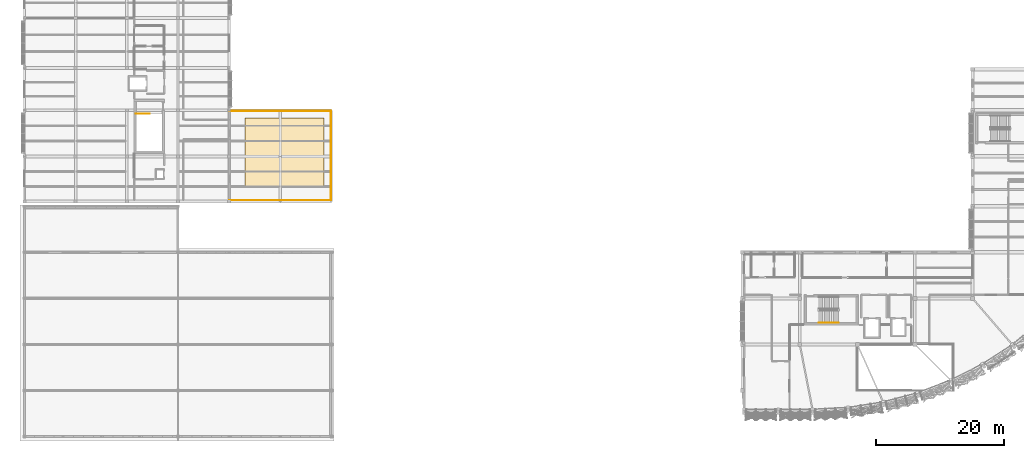
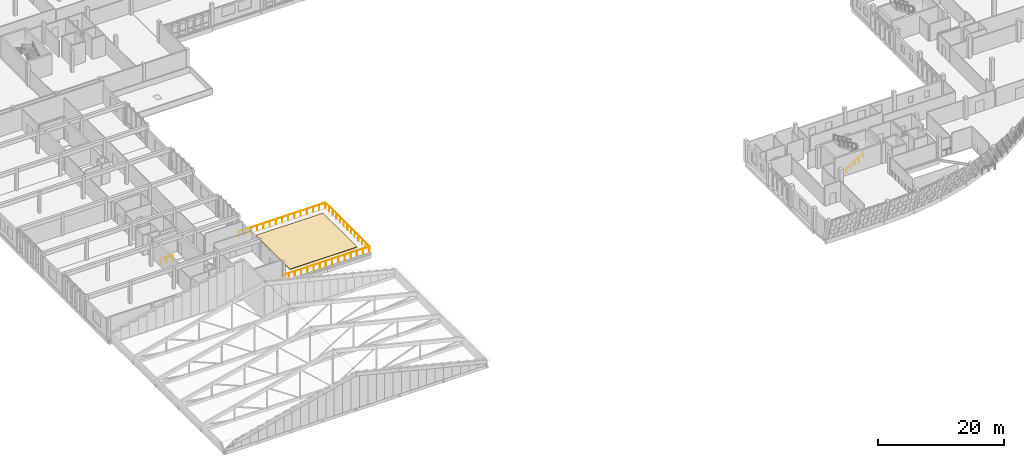
# One storey, part 102 of 107: 5 railings, 1 covering.
"""IFC4 building model written with IfcOpenShell, lengths in metres."""

from ifc_helpers import new_model, si_unit, direction, frame, origin, origin_2d, place, context, subcontext, project, spatial, polyline, circle, outline, extrude, material, layer, layer_set, type_object, element, save


model = new_model("IFC4")

# Units and contexts
model_context = context("Model", 3, precision=1e-05, world=origin(), true_north=direction((0.0, 1.0)))
body_context = subcontext(model_context, "Body", "Model", "MODEL_VIEW")
ifc_project = project(units=[si_unit("LENGTHUNIT", "METRE"), si_unit("AREAUNIT", "SQUARE_METRE"), si_unit("VOLUMEUNIT", "CUBIC_METRE"), si_unit("PLANEANGLEUNIT", "RADIAN"), si_unit("MASSUNIT", "GRAM", prefix="KILO")], contexts=[model_context])

# Site, building, storey
site_placement = place(None, origin())
site = spatial("IfcSite", under=ifc_project, at=site_placement, CompositionType="ELEMENT")
building_placement = place(site_placement, origin())
building = spatial("IfcBuilding", under=site, at=building_placement, Name="Chiffa Square Polytechnic", CompositionType="ELEMENT")
storey_placement = place(building_placement, frame((0.0, 0.0, 13.800048828125)))
storey = spatial("IfcBuildingStorey", under=building, at=storey_placement, Name="L03", CompositionType="ELEMENT", Elevation=13.800048828125)

# Covering
ifc_material_1 = material(Name="Vegetated substrate")
ifc_layer_1 = layer(ifc_material_1, 0.1201171875, Name="Vegetated substrate")
ifc_layer_set_1 = layer_set([ifc_layer_1], Name="Vegetated substrate")
covering_type = type_object("IfcCoveringType", Name="COV-GARDEN-300", PredefinedType="ROOFING", material=ifc_layer_set_1)
covering_placement = place(storey_placement, origin())
element("IfcCovering", 1, at=covering_placement, inside=storey, type_object=covering_type, Name="Planted Mediterranean roof garden GD-V6-L03", PredefinedType="ROOFING", context=body_context, shape_type="SweptSolid", body=[
    extrude(outline(polyline([(34.5, 39.0), (46.800048828125, 39.0), (46.800048828125, 49.800048828125), (34.5, 49.800048828125), (34.5, 39.0)])), origin(), (0.0, 0.0, 1.0), 0.119873046875),
])

# Railings
ifc_material_2 = material(Name="Steel S355", Category="steel")
ifc_layer_2 = layer(ifc_material_2, 0.050048828125, Name="Steel S355")
ifc_layer_set_2 = layer_set([ifc_layer_2], Name="Steel S355")
railing_type_1 = type_object("IfcRailingType", Name="RL-STAIR-GUARD", PredefinedType="GUARDRAIL", material=ifc_layer_set_2)
railing_1_placement = place(storey_placement, frame((17.449951171875, 50.449951171875, 0.0)))
element("IfcRailing", 2, at=railing_1_placement, inside=storey, type_object=railing_type_1, Name="L03 ST-V6A top well guard 1", PredefinedType="GUARDRAIL", context=body_context, shape_type="SweptSolid", body=[
    extrude(circle(Radius=0.02392578125, at=origin_2d()), frame((0.0, 0.0, 1.076171875), z_axis=(1.0, 0.0, 0.0), x_axis=(0.0, 1.0, 0.0)), (0.0, 0.0, 1.0), 2.150146484375),
    extrude(circle(Radius=0.02099609375, at=origin_2d()), origin(), (0.0, 0.0, 1.0), 1.052001953125),
    extrude(circle(Radius=0.02099609375, at=origin_2d()), frame((1.0751953125, 0.0, 0.0)), (0.0, 0.0, 1.0), 1.052001953125),
    extrude(circle(Radius=0.02099609375, at=origin_2d()), frame((2.150146484375, 0.0, 0.0)), (0.0, 0.0, 1.0), 1.052001953125),
])
ifc_layer_3 = layer(ifc_material_2, 0.044921875, Name="Steel S355")
ifc_layer_set_3 = layer_set([ifc_layer_3], Name="Steel S355")
railing_type_2 = type_object("IfcRailingType", Name="RL-STAIR-HAND", PredefinedType="HANDRAIL", material=ifc_layer_set_3)
railing_2_placement = place(storey_placement, frame((124.199951171875, 17.800048828125, 0.175048828125)))
element("IfcRailing", 3, at=railing_2_placement, inside=storey, type_object=railing_type_2, Name="L03 ST-V1A stair handrail 1", PredefinedType="HANDRAIL", context=body_context, shape_type="SweptSolid", body=[
    extrude(circle(Radius=0.02392578125, at=origin_2d()), frame((0.0, 0.0, 0.89599609375), z_axis=(0.848028513186, 0.0, 0.529950602248), x_axis=(0.0, 1.0, 0.0)), (0.0, 0.0, 1.0), 3.632080078125),
    extrude(circle(Radius=0.02099609375, at=origin_2d()), origin(), (0.0, 0.0, 1.0), 0.871826171875),
    extrude(circle(Radius=0.02099609375, at=origin_2d()), frame((0.77001953125, 0.0, 0.481201171875)), (0.0, 0.0, 1.0), 0.871826171875),
    extrude(circle(Radius=0.02099609375, at=origin_2d()), frame((1.5400390625, 0.0, 0.96240234375)), (0.0, 0.0, 1.0), 0.871826171875),
    extrude(circle(Radius=0.02099609375, at=origin_2d()), frame((2.31005859375, 0.0, 1.443603515625)), (0.0, 0.0, 1.0), 0.871826171875),
    extrude(circle(Radius=0.02099609375, at=origin_2d()), frame((3.080078125, 0.0, 1.9248046875)), (0.0, 0.0, 1.0), 0.871826171875),
])
ifc_layer_4 = layer(ifc_material_2, 0.06005859375, Name="Steel S355")
ifc_layer_set_4 = layer_set([ifc_layer_4], Name="Steel S355")
railing_type_3 = type_object("IfcRailingType", Name="RL-TERR-1100", PredefinedType="BALUSTRADE", material=ifc_layer_set_4)
railing_3_placement = place(storey_placement, frame((32.0, 36.949951171875, 0.0)))
element("IfcRailing", 4, at=railing_3_placement, inside=storey, type_object=railing_type_3, Name="Terrace safety guard GR-TERR-V6-L03-1", PredefinedType="BALUSTRADE", context=body_context, shape_type="SweptSolid", body=[
    extrude(circle(Radius=0.02392578125, at=origin_2d()), frame((0.0, 0.0, 1.076171875), z_axis=(1.0, 0.0, 0.0), x_axis=(0.0, 1.0, 0.0)), (0.0, 0.0, 1.0), 15.89990234375),
    extrude(circle(Radius=0.02099609375, at=origin_2d()), origin(), (0.0, 0.0, 1.0), 1.052001953125),
    extrude(circle(Radius=0.02099609375, at=origin_2d()), frame((1.1357421875, 0.0, 0.0)), (0.0, 0.0, 1.0), 1.052001953125),
    extrude(circle(Radius=0.02099609375, at=origin_2d()), frame((2.271484375, 0.0, 0.0)), (0.0, 0.0, 1.0), 1.052001953125),
    extrude(circle(Radius=0.02099609375, at=origin_2d()), frame((3.4072265625, 0.0, 0.0)), (0.0, 0.0, 1.0), 1.052001953125),
    extrude(circle(Radius=0.02099609375, at=origin_2d()), frame((4.542724609375, 0.0, 0.0)), (0.0, 0.0, 1.0), 1.052001953125),
    extrude(circle(Radius=0.02099609375, at=origin_2d()), frame((5.678466796875, 0.0, 0.0)), (0.0, 0.0, 1.0), 1.052001953125),
    extrude(circle(Radius=0.02099609375, at=origin_2d()), frame((6.814208984375, 0.0, 0.0)), (0.0, 0.0, 1.0), 1.052001953125),
    extrude(circle(Radius=0.02099609375, at=origin_2d()), frame((7.949951171875, 0.0, 0.0)), (0.0, 0.0, 1.0), 1.052001953125),
    extrude(circle(Radius=0.02099609375, at=origin_2d()), frame((9.085693359375, 0.0, 0.0)), (0.0, 0.0, 1.0), 1.052001953125),
    extrude(circle(Radius=0.02099609375, at=origin_2d()), frame((10.221435546875, 0.0, 0.0)), (0.0, 0.0, 1.0), 1.052001953125),
    extrude(circle(Radius=0.02099609375, at=origin_2d()), frame((11.357177734375, 0.0, 0.0)), (0.0, 0.0, 1.0), 1.052001953125),
    extrude(circle(Radius=0.02099609375, at=origin_2d()), frame((12.49267578125, 0.0, 0.0)), (0.0, 0.0, 1.0), 1.052001953125),
    extrude(circle(Radius=0.02099609375, at=origin_2d()), frame((13.62841796875, 0.0, 0.0)), (0.0, 0.0, 1.0), 1.052001953125),
    extrude(circle(Radius=0.02099609375, at=origin_2d()), frame((14.76416015625, 0.0, 0.0)), (0.0, 0.0, 1.0), 1.052001953125),
    extrude(circle(Radius=0.02099609375, at=origin_2d()), frame((15.89990234375, 0.0, 0.0)), (0.0, 0.0, 1.0), 1.052001953125),
])
railing_4_placement = place(storey_placement, frame((47.89990234375, 36.949951171875, 0.0)))
element("IfcRailing", 5, at=railing_4_placement, inside=storey, type_object=railing_type_3, Name="Terrace safety guard GR-TERR-V6-L03-2", PredefinedType="BALUSTRADE", context=body_context, shape_type="SweptSolid", body=[
    extrude(circle(Radius=0.02392578125, at=origin_2d()), frame((0.0, 0.0, 1.076171875), z_axis=(0.0, 1.0, 0.0), x_axis=(-1.0, 0.0, 0.0)), (0.0, 0.0, 1.0), 13.949951171875),
    extrude(circle(Radius=0.02099609375, at=origin_2d()), origin(), (0.0, 0.0, 1.0), 1.052001953125),
    extrude(circle(Radius=0.02099609375, at=origin_2d()), frame((0.0, 1.16259765625, 0.0)), (0.0, 0.0, 1.0), 1.052001953125),
    extrude(circle(Radius=0.02099609375, at=origin_2d()), frame((0.0, 2.324951171875, 0.0)), (0.0, 0.0, 1.0), 1.052001953125),
    extrude(circle(Radius=0.02099609375, at=origin_2d()), frame((0.0, 3.487548828125, 0.0)), (0.0, 0.0, 1.0), 1.052001953125),
    extrude(circle(Radius=0.02099609375, at=origin_2d()), frame((0.0, 4.64990234375, 0.0)), (0.0, 0.0, 1.0), 1.052001953125),
    extrude(circle(Radius=0.02099609375, at=origin_2d()), frame((0.0, 5.8125, 0.0)), (0.0, 0.0, 1.0), 1.052001953125),
    extrude(circle(Radius=0.02099609375, at=origin_2d()), frame((0.0, 6.97509765625, 0.0)), (0.0, 0.0, 1.0), 1.052001953125),
    extrude(circle(Radius=0.02099609375, at=origin_2d()), frame((0.0, 8.137451171875, 0.0)), (0.0, 0.0, 1.0), 1.052001953125),
    extrude(circle(Radius=0.02099609375, at=origin_2d()), frame((0.0, 9.300048828125, 0.0)), (0.0, 0.0, 1.0), 1.052001953125),
    extrude(circle(Radius=0.02099609375, at=origin_2d()), frame((0.0, 10.46240234375, 0.0)), (0.0, 0.0, 1.0), 1.052001953125),
    extrude(circle(Radius=0.02099609375, at=origin_2d()), frame((0.0, 11.625, 0.0)), (0.0, 0.0, 1.0), 1.052001953125),
    extrude(circle(Radius=0.02099609375, at=origin_2d()), frame((0.0, 12.787353515625, 0.0)), (0.0, 0.0, 1.0), 1.052001953125),
    extrude(circle(Radius=0.02099609375, at=origin_2d()), frame((0.0, 13.949951171875, 0.0)), (0.0, 0.0, 1.0), 1.052001953125),
])
railing_5_placement = place(storey_placement, frame((47.89990234375, 50.89990234375, 0.0)))
element("IfcRailing", 6, at=railing_5_placement, inside=storey, type_object=railing_type_3, Name="Terrace safety guard GR-TERR-V6-L03-3", PredefinedType="BALUSTRADE", context=body_context, shape_type="SweptSolid", body=[
    extrude(circle(Radius=0.02392578125, at=origin_2d()), frame((0.0, 0.0, 1.076171875), z_axis=(-1.0, 0.0, 0.0), x_axis=(0.0, -1.0, 0.0)), (0.0, 0.0, 1.0), 15.89990234375),
    extrude(circle(Radius=0.02099609375, at=origin_2d()), origin(), (0.0, 0.0, 1.0), 1.052001953125),
    extrude(circle(Radius=0.02099609375, at=origin_2d()), frame((-1.1357421875, 0.0, 0.0)), (0.0, 0.0, 1.0), 1.052001953125),
    extrude(circle(Radius=0.02099609375, at=origin_2d()), frame((-2.271484375, 0.0, 0.0)), (0.0, 0.0, 1.0), 1.052001953125),
    extrude(circle(Radius=0.02099609375, at=origin_2d()), frame((-3.4072265625, 0.0, 0.0)), (0.0, 0.0, 1.0), 1.052001953125),
    extrude(circle(Radius=0.02099609375, at=origin_2d()), frame((-4.542724609375, 0.0, 0.0)), (0.0, 0.0, 1.0), 1.052001953125),
    extrude(circle(Radius=0.02099609375, at=origin_2d()), frame((-5.678466796875, 0.0, 0.0)), (0.0, 0.0, 1.0), 1.052001953125),
    extrude(circle(Radius=0.02099609375, at=origin_2d()), frame((-6.814208984375, 0.0, 0.0)), (0.0, 0.0, 1.0), 1.052001953125),
    extrude(circle(Radius=0.02099609375, at=origin_2d()), frame((-7.949951171875, 0.0, 0.0)), (0.0, 0.0, 1.0), 1.052001953125),
    extrude(circle(Radius=0.02099609375, at=origin_2d()), frame((-9.085693359375, 0.0, 0.0)), (0.0, 0.0, 1.0), 1.052001953125),
    extrude(circle(Radius=0.02099609375, at=origin_2d()), frame((-10.221435546875, 0.0, 0.0)), (0.0, 0.0, 1.0), 1.052001953125),
    extrude(circle(Radius=0.02099609375, at=origin_2d()), frame((-11.357177734375, 0.0, 0.0)), (0.0, 0.0, 1.0), 1.052001953125),
    extrude(circle(Radius=0.02099609375, at=origin_2d()), frame((-12.49267578125, 0.0, 0.0)), (0.0, 0.0, 1.0), 1.052001953125),
    extrude(circle(Radius=0.02099609375, at=origin_2d()), frame((-13.62841796875, 0.0, 0.0)), (0.0, 0.0, 1.0), 1.052001953125),
    extrude(circle(Radius=0.02099609375, at=origin_2d()), frame((-14.76416015625, 0.0, 0.0)), (0.0, 0.0, 1.0), 1.052001953125),
    extrude(circle(Radius=0.02099609375, at=origin_2d()), frame((-15.89990234375, 0.0, 0.0)), (0.0, 0.0, 1.0), 1.052001953125),
])

save(model, "model.ifc")
